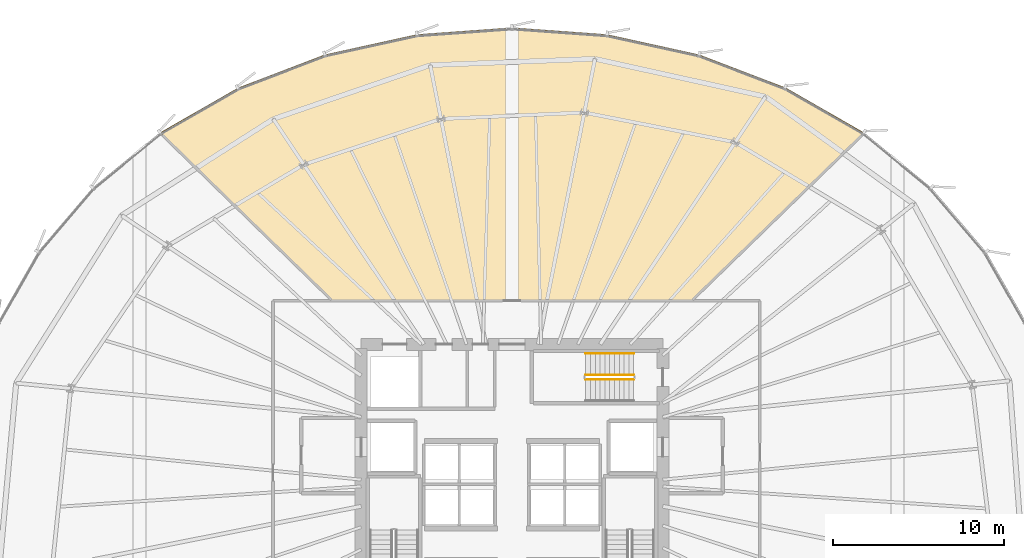
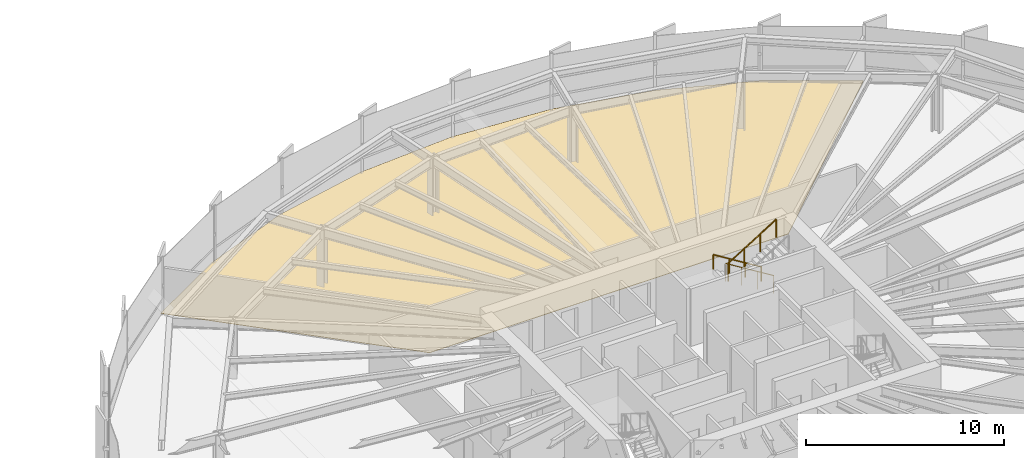
# One storey, part 36 of 38: 3 railings, 1 covering.
"""IFC4 building model written with IfcOpenShell, lengths in metres."""

from ifc_helpers import new_model, si_unit, direction, frame, origin, origin_2d, place, context, subcontext, project, spatial, polyline, circle, outline, extrude, material, layer, layer_set, type_object, element, save


model = new_model("IFC4")

# Units and contexts
model_context = context("Model", 3, precision=1e-05, world=origin(), true_north=direction((0.0, 1.0)))
body_context = subcontext(model_context, "Body", "Model", "MODEL_VIEW")
ifc_project = project(units=[si_unit("LENGTHUNIT", "METRE"), si_unit("AREAUNIT", "SQUARE_METRE"), si_unit("VOLUMEUNIT", "CUBIC_METRE"), si_unit("PLANEANGLEUNIT", "RADIAN"), si_unit("MASSUNIT", "GRAM", prefix="KILO"), si_unit("THERMODYNAMICTEMPERATUREUNIT", "KELVIN")], contexts=[model_context])

# Site, building, storey
site_placement = place(None, origin())
site = spatial("IfcSite", under=ifc_project, at=site_placement, CompositionType="ELEMENT")
building_placement = place(site_placement, origin())
building = spatial("IfcBuilding", under=site, at=building_placement, Name="Kethvar Cultural Tower", CompositionType="ELEMENT")
storey_placement = place(building_placement, frame((0.0, 0.0, 29.60009765625)))
storey = spatial("IfcBuildingStorey", under=building, at=storey_placement, Name="L06", CompositionType="ELEMENT", Elevation=29.60009765625)

# Covering
ifc_material_1 = material(Name="Architectural Oak Timber", Category="wood")
ifc_layer = layer(ifc_material_1, 0.02490234375, Name="Architectural Oak Timber", Category="wood")
ifc_layer_set = layer_set([ifc_layer], Name="Architectural Oak Timber (25 mm)")
covering_type = type_object("IfcCoveringType", Name="CV-OAK-FLOOR", PredefinedType="FLOORING", material=ifc_layer_set)
covering_placement = place(storey_placement, origin())
element("IfcCovering", 1, at=covering_placement, inside=storey, type_object=covering_type, Name="L06 Room 03 Floor Finish", PredefinedType="FLOORING", context=body_context, shape_type="SweptSolid", body=[
    extrude(outline(polyline([(30.82861328125, 50.4716796875), (35.874755859375, 52.400634765625), (41.253173828125, 53.582275390625), (46.800048828125, 53.97998046875), (52.346923828125, 53.582275390625), (57.725341796875, 52.400634765625), (62.771484375, 50.4716796875), (67.310546875, 47.8662109375), (57.273193359375, 38.06005859375), (36.32666015625, 38.06005859375), (26.289306640625, 47.8662109375), (30.82861328125, 50.4716796875)])), origin(), (0.0, 0.0, 1.0), 0.02490234375),
])

# Railings
ifc_material_2 = material(Name="Steel S355J2", Category="steel")
railing_type_1 = type_object("IfcRailingType", Name="RL-STAIR-GUARD", PredefinedType="BALUSTRADE", material=ifc_material_2)
railing_1_placement = place(storey_placement, frame((53.89990234375, 33.7099609375, 0.172607421875)))
element("IfcRailing", 2, at=railing_1_placement, inside=storey, type_object=railing_type_1, Name="L06 ST-03 stair guard 1", PredefinedType="BALUSTRADE", context=body_context, shape_type="SweptSolid", body=[
    extrude(circle(Radius=0.02392578125, at=origin_2d()), frame((0.0, 0.0, 1.09619140625), z_axis=(-0.851069175582, 0.0, 0.525053576669), x_axis=(0.0, -1.0, 0.0)), (0.0, 0.0, 1.0), 3.289794921875),
    extrude(circle(Radius=0.02099609375, at=origin_2d()), origin(), (0.0, 0.0, 1.0), 1.072021484375),
    extrude(circle(Radius=0.02099609375, at=origin_2d()), frame((-0.933349609375, 0.0, 0.57568359375)), (0.0, 0.0, 1.0), 1.072021484375),
    extrude(circle(Radius=0.02099609375, at=origin_2d()), frame((-1.866455078125, 0.0, 1.151611328125)), (0.0, 0.0, 1.0), 1.072021484375),
    extrude(circle(Radius=0.02099609375, at=origin_2d()), frame((-2.7998046875, 0.0, 1.727294921875)), (0.0, 0.0, 1.0), 1.072021484375),
])
railing_2_placement = place(storey_placement, frame((51.10009765625, 33.449951171875, 2.072509765625)))
element("IfcRailing", 3, at=railing_2_placement, inside=storey, type_object=railing_type_1, Name="L06 ST-03 stair guard 3", PredefinedType="BALUSTRADE", context=body_context, shape_type="SweptSolid", body=[
    extrude(circle(Radius=0.02392578125, at=origin_2d()), frame((0.0, 0.0, 1.09619140625), z_axis=(0.851069175582, 0.0, 0.525053576669), x_axis=(0.0, 1.0, 0.0)), (0.0, 0.0, 1.0), 3.289794921875),
    extrude(circle(Radius=0.02099609375, at=origin_2d()), origin(), (0.0, 0.0, 1.0), 1.072021484375),
    extrude(circle(Radius=0.02099609375, at=origin_2d()), frame((0.933349609375, 0.0, 0.57568359375)), (0.0, 0.0, 1.0), 1.072021484375),
    extrude(circle(Radius=0.02099609375, at=origin_2d()), frame((1.866455078125, 0.0, 1.151611328125)), (0.0, 0.0, 1.0), 1.072021484375),
    extrude(circle(Radius=0.02099609375, at=origin_2d()), frame((2.7998046875, 0.0, 1.727294921875)), (0.0, 0.0, 1.0), 1.072021484375),
])
railing_type_2 = type_object("IfcRailingType", Name="RL-STAIR-HANDRAIL", PredefinedType="HANDRAIL", material=ifc_material_2)
railing_3_placement = place(storey_placement, frame((53.89990234375, 34.9599609375, 0.172607421875)))
element("IfcRailing", 4, at=railing_3_placement, inside=storey, type_object=railing_type_2, Name="L06 ST-03 stair handrail 1", PredefinedType="HANDRAIL", context=body_context, shape_type="SweptSolid", body=[
    extrude(circle(Radius=0.02392578125, at=origin_2d()), frame((0.0, 0.0, 0.8759765625), z_axis=(-0.851069175582, 0.0, 0.525053576669), x_axis=(0.0, -1.0, 0.0)), (0.0, 0.0, 1.0), 3.289794921875),
    extrude(circle(Radius=0.02099609375, at=origin_2d()), origin(), (0.0, 0.0, 1.0), 0.851806640625),
    extrude(circle(Radius=0.02099609375, at=origin_2d()), frame((-0.933349609375, 0.0, 0.57568359375)), (0.0, 0.0, 1.0), 0.851806640625),
    extrude(circle(Radius=0.02099609375, at=origin_2d()), frame((-1.866455078125, 0.0, 1.151611328125)), (0.0, 0.0, 1.0), 0.851806640625),
    extrude(circle(Radius=0.02099609375, at=origin_2d()), frame((-2.7998046875, 0.0, 1.727294921875)), (0.0, 0.0, 1.0), 0.851806640625),
])

save(model, "model.ifc")
